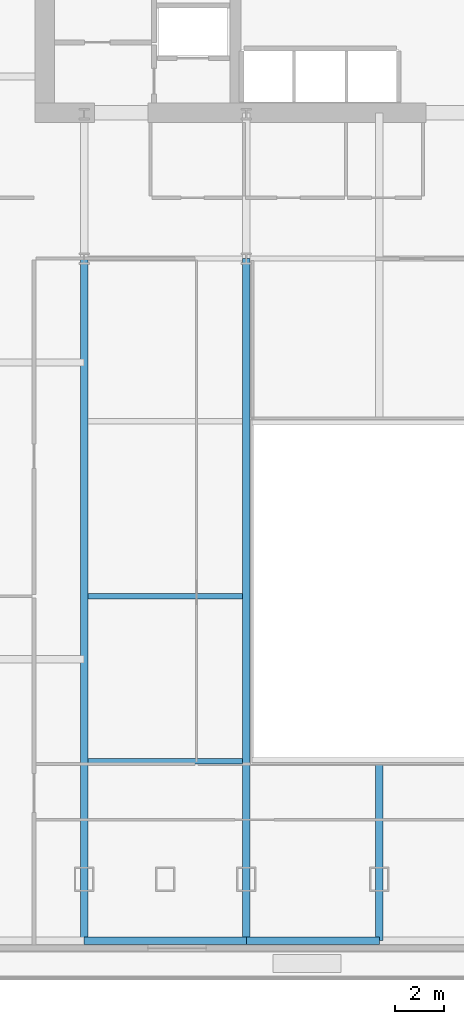
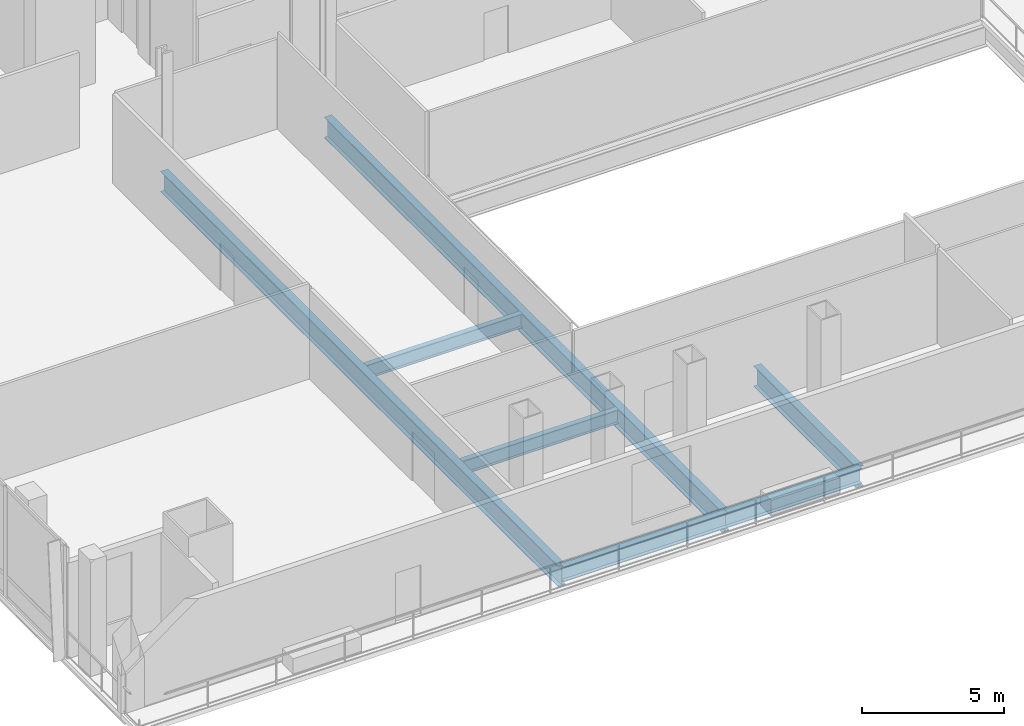
# One storey, part 7 of 25: 7 beams.
"""IFC4 building model written with IfcOpenShell, lengths in metres."""

from ifc_helpers import new_model, si_unit, direction, frame, origin, origin_2d, place, context, subcontext, project, spatial, i_section, extrude, material, material_profile, profile_set, type_object, element, save


model = new_model("IFC4")

# Units and contexts
model_context = context("Model", 3, precision=1e-05, world=origin(), true_north=direction((0.0, 1.0)))
body_context = subcontext(model_context, "Body", "Model", "MODEL_VIEW")
ifc_project = project(units=[si_unit("LENGTHUNIT", "METRE"), si_unit("AREAUNIT", "SQUARE_METRE"), si_unit("VOLUMEUNIT", "CUBIC_METRE"), si_unit("PLANEANGLEUNIT", "RADIAN"), si_unit("MASSUNIT", "GRAM", prefix="KILO")], contexts=[model_context])

# Site, building, storey
site_placement = place(None, origin())
site = spatial("IfcSite", under=ifc_project, at=site_placement, CompositionType="ELEMENT")
building_placement = place(site_placement, origin())
building = spatial("IfcBuilding", under=site, at=building_placement, Name="Khoronbel Lancet Exchange", CompositionType="ELEMENT")
storey_placement = place(building_placement, frame((0.0, 0.0, 15.39990234375)))
storey = spatial("IfcBuildingStorey", under=building, at=storey_placement, Name="L03", CompositionType="ELEMENT", Elevation=15.39990234375)

# Beams
ifc_material = material(Name="Steel S355", Category="steel")
ifc_material_profile_1 = material_profile(ifc_material, i_section(OverallWidth=0.300048828125, OverallDepth=0.89990234375, WebThickness=0.0185546875, FlangeThickness=0.034912109375, at=origin_2d()), Name="HEB 900")
ifc_profile_set_1 = profile_set([ifc_material_profile_1], Name="Steel S355")
beam_type_1 = type_object("IfcBeamType", Name="BM-BG1", PredefinedType="BEAM", material=ifc_profile_set_1)
for number, where, z_axis, x_axis, name in (
    (1, (18.22509765625, 7.6201171875, -0.64990234375), (0.0, 1.0, 0.0), (-1.0, 0.0, 0.0), "Level L03 south primary girder GS1"),
    (2, (24.89990234375, 7.6201171875, -0.64990234375), (0.0, 1.0, 0.0), (-1.0, 0.0, 0.0), "Level L03 south primary girder GS2"),
):
    element("IfcBeam", number, at=place(storey_placement, frame(where, z_axis=z_axis, x_axis=x_axis)), inside=storey, type_object=beam_type_1, Name=name, PredefinedType="BEAM", context=body_context, shape_type="SweptSolid", body=[
        extrude(i_section(OverallWidth=0.300048828125, OverallDepth=0.89990234375, WebThickness=0.0185546875, FlangeThickness=0.034912109375, at=origin_2d()), origin(), (0.0, 0.0, 1.0), 28.079833984375),
    ])
beam_1_placement = place(storey_placement, frame((30.375, 7.6201171875, -0.64990234375), z_axis=(0.0, 1.0, 0.0), x_axis=(-1.0, 0.0, 0.0)))
element("IfcBeam", 3, at=beam_1_placement, inside=storey, type_object=beam_type_1, Name="Level L03 south gallery & terrace cantilever girder GS3", PredefinedType="BEAM", context=body_context, shape_type="SweptSolid", body=[
    extrude(i_section(OverallWidth=0.300048828125, OverallDepth=0.89990234375, WebThickness=0.0185546875, FlangeThickness=0.034912109375, at=origin_2d()), origin(), (0.0, 0.0, 1.0), 7.22998046875),
])
ifc_material_profile_2 = material_profile(ifc_material, i_section(OverallWidth=0.219970703125, OverallDepth=0.60009765625, WebThickness=0.011962890625, FlangeThickness=0.01904296875, at=origin_2d()), Name="IPE 600")
ifc_profile_set_2 = profile_set([ifc_material_profile_2], Name="Steel S355")
beam_type_2 = type_object("IfcBeamType", Name="BM-BJ1", PredefinedType="JOIST", material=ifc_profile_set_2)
for number, where, z_axis, x_axis, name in (
    (4, (18.375, 15.0, -0.5), (1.0, 0.0, 0.0), (0.0, 1.0, 0.0), "Level L03 secondary composite joist J01"),
    (5, (18.375, 21.800048828125, -0.5), (1.0, 0.0, 0.0), (0.0, 1.0, 0.0), "Level L03 secondary composite joist J03"),
):
    element("IfcBeam", number, at=place(storey_placement, frame(where, z_axis=z_axis, x_axis=x_axis)), inside=storey, type_object=beam_type_2, Name=name, PredefinedType="JOIST", context=body_context, shape_type="SweptSolid", body=[
        extrude(i_section(OverallWidth=0.219970703125, OverallDepth=0.60009765625, WebThickness=0.011962890625, FlangeThickness=0.01904296875, at=origin_2d()), origin(), (0.0, 0.0, 1.0), 6.375),
    ])
ifc_material_profile_3 = material_profile(ifc_material, i_section(OverallWidth=0.300048828125, OverallDepth=0.64990234375, WebThickness=0.01611328125, FlangeThickness=0.031005859375, at=origin_2d()), Name="HEB 650")
ifc_profile_set_3 = profile_set([ifc_material_profile_3], Name="Steel S355")
beam_type_3 = type_object("IfcBeamType", Name="BM-BSP1", PredefinedType="SPANDREL", material=ifc_profile_set_3)
beam_2_placement = place(storey_placement, frame((18.22509765625, 7.6201171875, -0.52490234375), z_axis=(1.0, 0.0, 0.0), x_axis=(0.0, 1.0, 0.0)))
element("IfcBeam", 6, at=beam_2_placement, inside=storey, type_object=beam_type_3, Name="Level L03 perimeter spandrel beam SP02", PredefinedType="SPANDREL", context=body_context, shape_type="SweptSolid", body=[
    extrude(i_section(OverallWidth=0.300048828125, OverallDepth=0.64990234375, WebThickness=0.01611328125, FlangeThickness=0.031005859375, at=origin_2d()), origin(), (0.0, 0.0, 1.0), 6.6748046875),
])
beam_3_placement = place(storey_placement, frame((24.89990234375, 7.6201171875, -0.52490234375), z_axis=(1.0, 0.0, 0.0), x_axis=(0.0, 1.0, 0.0)))
element("IfcBeam", 7, at=beam_3_placement, inside=storey, type_object=beam_type_3, Name="Level L03 perimeter spandrel beam SP03", PredefinedType="SPANDREL", context=body_context, shape_type="SweptSolid", body=[
    extrude(i_section(OverallWidth=0.300048828125, OverallDepth=0.64990234375, WebThickness=0.01611328125, FlangeThickness=0.031005859375, at=origin_2d()), origin(), (0.0, 0.0, 1.0), 5.47509765625),
])

save(model, "model.ifc")
